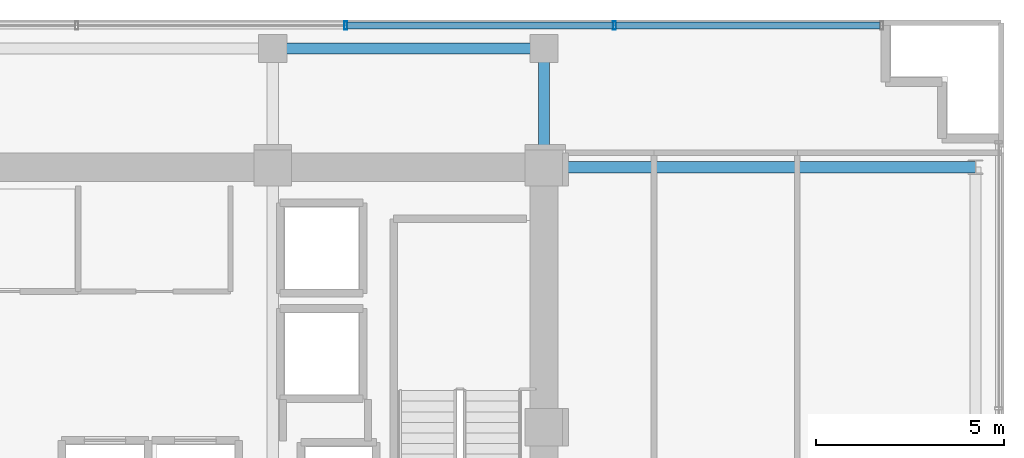
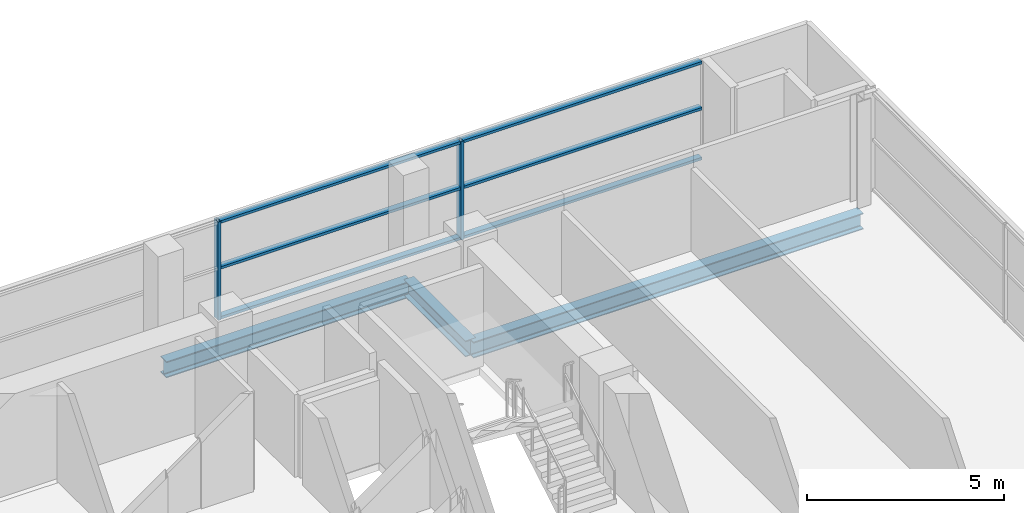
# One storey, part 12 of 22: 8 members, 3 beams, 1 element without a shape of its own.
"""IFC4 building model written with IfcOpenShell, lengths in metres."""

from ifc_helpers import new_model, si_unit, direction, frame, origin, origin_2d, place, context, subcontext, project, spatial, hollow_rectangle, i_section, extrude, source, transform, mapped, material, layer, layer_set, material_profile, profile_set, type_object, element, aggregate, save


model = new_model("IFC4")

# Units and contexts
model_context = context("Model", 3, precision=1e-05, world=origin(), true_north=direction((0.0, 1.0)))
body_context = subcontext(model_context, "Body", "Model", "MODEL_VIEW")
ifc_project = project(units=[si_unit("LENGTHUNIT", "METRE"), si_unit("AREAUNIT", "SQUARE_METRE"), si_unit("VOLUMEUNIT", "CUBIC_METRE"), si_unit("PLANEANGLEUNIT", "RADIAN"), si_unit("MASSUNIT", "GRAM", prefix="KILO")], contexts=[model_context])

# Site, building, storey
site_placement = place(None, origin())
site = spatial("IfcSite", under=ifc_project, at=site_placement, CompositionType="ELEMENT")
building_placement = place(site_placement, origin())
building = spatial("IfcBuilding", under=site, at=building_placement, Name="Zarnakvel Exchange Tower", CompositionType="ELEMENT")
storey_placement = place(building_placement, frame((0.0, 0.0, 192.39990234375)))
storey = spatial("IfcBuildingStorey", under=building, at=storey_placement, Name="L54", CompositionType="ELEMENT", Elevation=192.39990234375)

# Beams
ifc_material_1 = material(Name="Steel S355", Category="steel")
ifc_material_profile_1 = material_profile(ifc_material_1, i_section(OverallWidth=0.300048828125, OverallDepth=0.5, WebThickness=0.014404296875, FlangeThickness=0.028076171875, FilletRadius=0.027099609375, at=origin_2d()))
ifc_profile_set_1 = profile_set([ifc_material_profile_1], Name="Steel S355")
beam_type_1 = type_object("IfcBeamType", Name="G-06", PredefinedType="BEAM", material=ifc_profile_set_1)
beam_1_placement = place(storey_placement, frame((14.39990234375, 13.5, -0.474853515625), z_axis=(1.0, 0.0, 0.0), x_axis=(0.0, 1.0, 0.0)))
element("IfcBeam", 1, at=beam_1_placement, inside=storey, type_object=beam_type_1, Name="L54 Tower E-W Frame Beam", PredefinedType="BEAM", context=body_context, shape_type="SweptSolid", body=[
    extrude(i_section(OverallWidth=0.300048828125, OverallDepth=0.5, WebThickness=0.014404296875, FlangeThickness=0.028076171875, FilletRadius=0.027099609375, at=origin_2d()), origin(), (0.0, 0.0, 1.0), 11.4501953125),
])
beam_2_placement = place(storey_placement, frame((14.39990234375, 13.5, -0.474853515625), z_axis=(0.0, 1.0, 0.0), x_axis=(-1.0, 0.0, 0.0)))
element("IfcBeam", 2, at=beam_2_placement, inside=storey, type_object=beam_type_1, Name="L54 Tower N-S Frame Beam", PredefinedType="BEAM", context=body_context, shape_type="SweptSolid", body=[
    extrude(i_section(OverallWidth=0.300048828125, OverallDepth=0.5, WebThickness=0.014404296875, FlangeThickness=0.028076171875, FilletRadius=0.027099609375, at=origin_2d()), origin(), (0.0, 0.0, 1.0), 3.14990234375),
])
ifc_material_profile_2 = material_profile(ifc_material_1, i_section(OverallWidth=0.300048828125, OverallDepth=0.5, WebThickness=0.014404296875, FlangeThickness=0.028076171875, FilletRadius=0.027099609375, at=origin_2d()))
ifc_profile_set_2 = profile_set([ifc_material_profile_2], Name="Steel S355")
beam_type_2 = type_object("IfcBeamType", Name="SP-02", PredefinedType="SPANDREL", material=ifc_profile_set_2)
beam_3_placement = place(storey_placement, frame((7.199951171875, 16.64990234375, -0.474853515625), z_axis=(1.0, 0.0, 0.0), x_axis=(0.0, 1.0, 0.0)))
element("IfcBeam", 3, at=beam_3_placement, inside=storey, type_object=beam_type_2, Name="L54 Tower E-W Frame Beam", PredefinedType="SPANDREL", context=body_context, shape_type="SweptSolid", body=[
    extrude(i_section(OverallWidth=0.300048828125, OverallDepth=0.5, WebThickness=0.014404296875, FlangeThickness=0.028076171875, FilletRadius=0.027099609375, at=origin_2d()), origin(), (0.0, 0.0, 1.0), 7.199951171875),
])

# Curtain wall, members
ifc_material_2 = material(Name="Architectural Bronze Anodised Aluminium", Category="aluminium")
ifc_layer = layer(ifc_material_2, 0.219970703125)
ifc_layer_set = layer_set([ifc_layer], Name="Architectural Bronze Anodised Aluminium")
curtain_wall_type = type_object("IfcCurtainWallType", Name="CW-03", PredefinedType="NOTDEFINED", material=ifc_layer_set)
curtain_wall_placement = place(storey_placement, origin())
curtain_wall = element("IfcCurtainWall", 4, at=curtain_wall_placement, inside=storey, type_object=curtain_wall_type, Name="L54 Curtain Wall CW-L54-N1 (CW-03)", PredefinedType="NOTDEFINED")
ifc_material_profile_3 = material_profile(ifc_material_2, hollow_rectangle(XDim=0.179931640625, YDim=0.080078125, WallThickness=0.00390625, at=origin_2d()))
ifc_profile_set_3 = profile_set([ifc_material_profile_3], Name="Architectural Bronze Anodised Aluminium")
member_type_1 = type_object("IfcMemberType", Name="CWT-03", PredefinedType="USERDEFINED", material=ifc_profile_set_3)
shared_shape_1 = source(origin(), body_context, "Body", "SweptSolid", [
    extrude(hollow_rectangle(XDim=0.179931640625, YDim=0.080078125, WallThickness=0.00390625, at=origin_2d()), origin(), (0.0, 0.0, 1.0), 7.013427734375),
])
member_1_placement = place(storey_placement, frame((16.306640625, 17.260009765625, 0.0400390625), z_axis=(1.0, 0.0, 0.0), x_axis=(0.0, 1.0, 0.0)))
member_1 = element("IfcMember", 5, at=member_1_placement, type_object=member_type_1, Name="CW-03 transom 6.1", ObjectType="TRANSOM", PredefinedType="USERDEFINED", context=body_context, shape_type="MappedRepresentation", body=[
    mapped(shared_shape_1, transform((0.0, 0.0, 0.0), x_axis=(1.0, 0.0, 0.0), y_axis=(0.0, 1.0, 0.0), z_axis=(0.0, 0.0, 1.0), scale=1.0)),
])
member_2_placement = place(storey_placement, frame((16.306640625, 17.260009765625, 1.588623046875), z_axis=(1.0, 0.0, 0.0), x_axis=(0.0, 1.0, 0.0)))
member_2 = element("IfcMember", 6, at=member_2_placement, type_object=member_type_1, Name="CW-03 transom 6.2", ObjectType="TRANSOM", PredefinedType="USERDEFINED", context=body_context, shape_type="MappedRepresentation", body=[
    mapped(shared_shape_1, transform((0.0, 0.0, 0.0), x_axis=(1.0, 0.0, 0.0), y_axis=(0.0, 1.0, 0.0), z_axis=(0.0, 0.0, 1.0), scale=1.0)),
])
member_3_placement = place(storey_placement, frame((16.306640625, 17.260009765625, 3.01513671875), z_axis=(1.0, 0.0, 0.0), x_axis=(0.0, 1.0, 0.0)))
member_3 = element("IfcMember", 7, at=member_3_placement, type_object=member_type_1, Name="CW-03 transom 6.3", ObjectType="TRANSOM", PredefinedType="USERDEFINED", context=body_context, shape_type="MappedRepresentation", body=[
    mapped(shared_shape_1, transform((0.0, 0.0, 0.0), x_axis=(1.0, 0.0, 0.0), y_axis=(0.0, 1.0, 0.0), z_axis=(0.0, 0.0, 1.0), scale=1.0)),
])
shared_shape_2 = source(origin(), body_context, "Body", "SweptSolid", [
    extrude(hollow_rectangle(XDim=0.179931640625, YDim=0.080078125, WallThickness=0.00390625, at=origin_2d()), origin(), (0.0, 0.0, 1.0), 7.05322265625),
])
member_4_placement = place(storey_placement, frame((9.17333984375, 17.260009765625, 0.0400390625), z_axis=(1.0, 0.0, 0.0), x_axis=(0.0, 1.0, 0.0)))
member_4 = element("IfcMember", 8, at=member_4_placement, type_object=member_type_1, Name="CW-03 transom 5.1", ObjectType="TRANSOM", PredefinedType="USERDEFINED", context=body_context, shape_type="MappedRepresentation", body=[
    mapped(shared_shape_2, transform((0.0, 0.0, 0.0), x_axis=(1.0, 0.0, 0.0), y_axis=(0.0, 1.0, 0.0), z_axis=(0.0, 0.0, 1.0), scale=1.0)),
])
member_5_placement = place(storey_placement, frame((9.17333984375, 17.260009765625, 1.588623046875), z_axis=(1.0, 0.0, 0.0), x_axis=(0.0, 1.0, 0.0)))
member_5 = element("IfcMember", 9, at=member_5_placement, type_object=member_type_1, Name="CW-03 transom 5.2", ObjectType="TRANSOM", PredefinedType="USERDEFINED", context=body_context, shape_type="MappedRepresentation", body=[
    mapped(shared_shape_2, transform((0.0, 0.0, 0.0), x_axis=(1.0, 0.0, 0.0), y_axis=(0.0, 1.0, 0.0), z_axis=(0.0, 0.0, 1.0), scale=1.0)),
])
member_6_placement = place(storey_placement, frame((9.17333984375, 17.260009765625, 3.01513671875), z_axis=(1.0, 0.0, 0.0), x_axis=(0.0, 1.0, 0.0)))
member_6 = element("IfcMember", 10, at=member_6_placement, type_object=member_type_1, Name="CW-03 transom 5.3", ObjectType="TRANSOM", PredefinedType="USERDEFINED", context=body_context, shape_type="MappedRepresentation", body=[
    mapped(shared_shape_2, transform((0.0, 0.0, 0.0), x_axis=(1.0, 0.0, 0.0), y_axis=(0.0, 1.0, 0.0), z_axis=(0.0, 0.0, 1.0), scale=1.0)),
])
ifc_material_profile_4 = material_profile(ifc_material_2, hollow_rectangle(XDim=0.219970703125, YDim=0.080078125, WallThickness=0.0048828125, at=origin_2d()))
ifc_profile_set_4 = profile_set([ifc_material_profile_4], Name="Architectural Bronze Anodised Aluminium")
member_type_2 = type_object("IfcMemberType", Name="CWM-03", PredefinedType="MULLION", material=ifc_profile_set_4)
shared_shape_3 = source(origin(), body_context, "Body", "SweptSolid", [
    extrude(hollow_rectangle(XDim=0.219970703125, YDim=0.080078125, WallThickness=0.0048828125, at=origin_2d()), origin(), (0.0, 0.0, 1.0), 3.05517578125),
])
member_7_placement = place(storey_placement, frame((9.13330078125, 17.260009765625, 0.0), z_axis=(0.0, 0.0, 1.0), x_axis=(0.0, 1.0, 0.0)))
member_7 = element("IfcMember", 11, at=member_7_placement, type_object=member_type_2, Name="CW-03 mullion 5", PredefinedType="MULLION", context=body_context, shape_type="MappedRepresentation", body=[
    mapped(shared_shape_3, transform((0.0, 0.0, 0.0), x_axis=(1.0, 0.0, 0.0), y_axis=(0.0, 1.0, 0.0), z_axis=(0.0, 0.0, 1.0), scale=1.0)),
])
member_8_placement = place(storey_placement, frame((16.2666015625, 17.260009765625, 0.0), z_axis=(0.0, 0.0, 1.0), x_axis=(0.0, 1.0, 0.0)))
member_8 = element("IfcMember", 12, at=member_8_placement, type_object=member_type_2, Name="CW-03 mullion 6", PredefinedType="MULLION", context=body_context, shape_type="MappedRepresentation", body=[
    mapped(shared_shape_3, transform((0.0, 0.0, 0.0), x_axis=(1.0, 0.0, 0.0), y_axis=(0.0, 1.0, 0.0), z_axis=(0.0, 0.0, 1.0), scale=1.0)),
])
aggregate(curtain_wall, [member_7, member_8, member_4, member_5, member_6, member_1, member_2, member_3])

save(model, "model.ifc")
